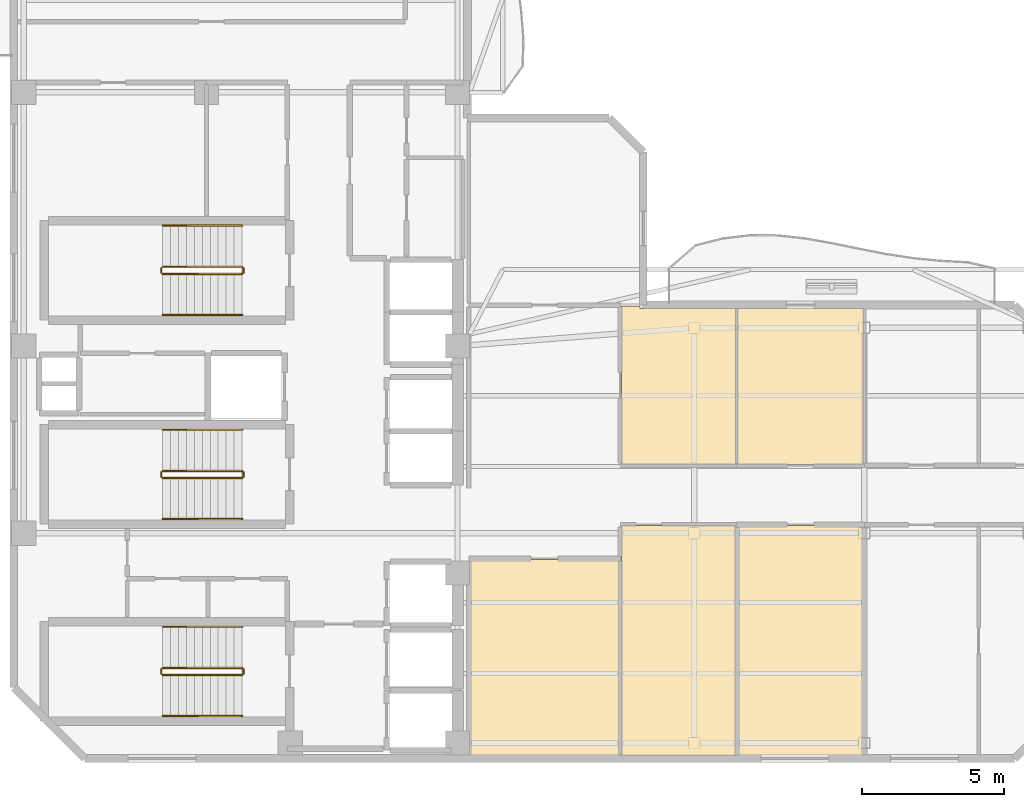
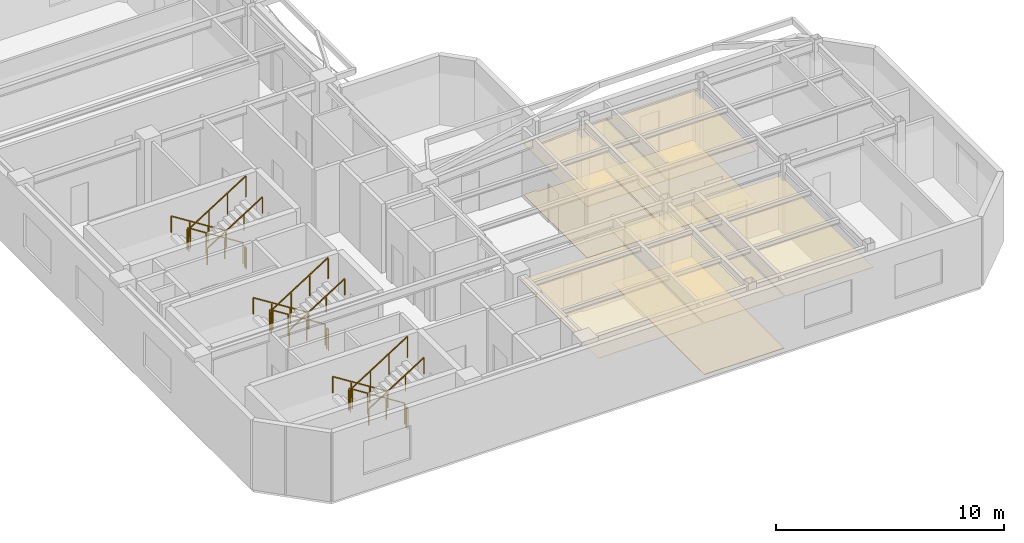
# One storey, part 6 of 7: 18 railings, 8 coverings.
"""IFC4 building model written with IfcOpenShell, lengths in metres."""

from ifc_helpers import new_model, si_unit, direction, frame, origin, origin_2d, place, context, subcontext, project, spatial, polyline, rectangle, outline, extrude, material, layer, layer_set, type_object, element, save


model = new_model("IFC4")

# Units and contexts
model_context = context("Model", 3, precision=1e-05, world=origin(), true_north=direction((0.0, 1.0)))
body_context = subcontext(model_context, "Body", "Model", "MODEL_VIEW")
ifc_project = project(units=[si_unit("LENGTHUNIT", "METRE"), si_unit("AREAUNIT", "SQUARE_METRE"), si_unit("VOLUMEUNIT", "CUBIC_METRE"), si_unit("PLANEANGLEUNIT", "RADIAN"), si_unit("MASSUNIT", "GRAM", prefix="KILO")], contexts=[model_context])

# Site, building, storey
site_placement = place(None, origin())
site = spatial("IfcSite", under=ifc_project, at=site_placement, CompositionType="ELEMENT")
building_placement = place(site_placement, origin())
building = spatial("IfcBuilding", under=site, at=building_placement, Name="Mawjaban Terraces University", CompositionType="ELEMENT")
storey_placement = place(building_placement, frame((0.0, 0.0, 275.5)))
storey = spatial("IfcBuildingStorey", under=building, at=storey_placement, Name="L67", CompositionType="ELEMENT", Elevation=275.5)

# Coverings
ifc_material_1 = material(Name="Acoustic mineral fibre ceiling tile", Category="masonry")
ifc_layer_1 = layer(ifc_material_1, 0.02001953125)
ifc_layer_set_1 = layer_set([ifc_layer_1], Name="Acoustic mineral fibre ceiling tile")
covering_type_1 = type_object("IfcCoveringType", Name="AcousticMineralCeiling_20", PredefinedType="CEILING", material=ifc_layer_set_1)
covering_1_placement = place(storey_placement, frame((0.0, 0.0, 2.75)))
element("IfcCovering", 1, at=covering_1_placement, inside=storey, type_object=covering_type_1, Name="L67 Media Workshop 1 Acoustic Ceiling", PredefinedType="CEILING", context=body_context, shape_type="SweptSolid", body=[
    extrude(outline(polyline([(38.080078125, 7.02001953125), (38.080078125, 0.114990234375), (43.3701171875, 0.114990234375), (43.3701171875, 7.02001953125), (38.080078125, 7.02001953125)])), origin(), (0.0, 0.0, 1.0), 0.02001953125),
])
covering_2_placement = place(storey_placement, frame((0.0, 0.0, 2.75)))
element("IfcCovering", 2, at=covering_2_placement, inside=storey, type_object=covering_type_1, Name="L67 Quiet Reading Room 2 Acoustic Ceiling", PredefinedType="CEILING", context=body_context, shape_type="SweptSolid", body=[
    extrude(outline(polyline([(43.429931640625, 0.114990234375), (47.469970703125, 0.114990234375), (47.469970703125, 8.219970703125), (43.429931640625, 8.219970703125), (43.429931640625, 0.114990234375)])), origin(), (0.0, 0.0, 1.0), 0.02001953125),
])
covering_3_placement = place(storey_placement, frame((0.0, 0.0, 2.75)))
element("IfcCovering", 3, at=covering_3_placement, inside=storey, type_object=covering_type_1, Name="L67 Reading Salon 3 Acoustic Ceiling", PredefinedType="CEILING", context=body_context, shape_type="SweptSolid", body=[
    extrude(outline(polyline([(47.469970703125, 15.885009765625), (44.0849609375, 15.885009765625), (44.0849609375, 15.969970703125), (43.429931640625, 15.969970703125), (43.429931640625, 10.3798828125), (47.469970703125, 10.3798828125), (47.469970703125, 15.885009765625)])), origin(), (0.0, 0.0, 1.0), 0.02001953125),
])
covering_4_placement = place(storey_placement, frame((0.0, 0.0, 2.75)))
element("IfcCovering", 4, at=covering_4_placement, inside=storey, type_object=covering_type_1, Name="L67 Media Workshop 4 Acoustic Ceiling", PredefinedType="CEILING", context=body_context, shape_type="SweptSolid", body=[
    extrude(outline(polyline([(47.530029296875, 0.114990234375), (51.969970703125, 0.114990234375), (51.969970703125, 8.219970703125), (47.530029296875, 8.219970703125), (47.530029296875, 0.114990234375)])), origin(), (0.0, 0.0, 1.0), 0.02001953125),
])
covering_5_placement = place(storey_placement, frame((0.0, 0.0, 2.75)))
element("IfcCovering", 5, at=covering_5_placement, inside=storey, type_object=covering_type_1, Name="L67 Quiet Reading Room 5 Acoustic Ceiling", PredefinedType="CEILING", context=body_context, shape_type="SweptSolid", body=[
    extrude(outline(polyline([(51.969970703125, 15.885009765625), (47.530029296875, 15.885009765625), (47.530029296875, 10.3798828125), (51.969970703125, 10.3798828125), (51.969970703125, 15.885009765625)])), origin(), (0.0, 0.0, 1.0), 0.02001953125),
])

# Railings
ifc_material_2 = material(Name="Brushed stainless steel 316", Category="steel")
railing_type_1 = type_object("IfcRailingType", Name="StairWallHandrail_900", PredefinedType="HANDRAIL", material=ifc_material_2)
railing_1_placement = place(storey_placement, frame((30.050048828125, 4.64990234375, 0.17724609375)))
element("IfcRailing", 6, at=railing_1_placement, inside=storey, type_object=railing_type_1, Name="L67 ST-1 stair handrail 1", PredefinedType="HANDRAIL", context=body_context, shape_type="SweptSolid", body=[
    extrude(rectangle(XDim=0.048095703125, YDim=0.048095703125, at=origin_2d()), frame((0.0, 0.0, 0.8759765625), z_axis=(-0.844908973607, 0.0, 0.534910110503), x_axis=(0.0, -1.0, 0.0)), (0.0, 0.0, 1.0), 3.31396484375),
    extrude(rectangle(XDim=0.0419921875, YDim=0.0419921875, at=origin_2d()), origin(), (0.0, 0.0, 1.0), 0.851806640625),
    extrude(rectangle(XDim=0.0419921875, YDim=0.0419921875, at=origin_2d()), frame((-0.933349609375, 0.0, 0.5908203125)), (0.0, 0.0, 1.0), 0.851806640625),
    extrude(rectangle(XDim=0.0419921875, YDim=0.0419921875, at=origin_2d()), frame((-1.86669921875, 0.0, 1.181884765625)), (0.0, 0.0, 1.0), 0.851806640625),
    extrude(rectangle(XDim=0.0419921875, YDim=0.0419921875, at=origin_2d()), frame((-2.800048828125, 0.0, 1.772705078125)), (0.0, 0.0, 1.0), 0.851806640625),
])
railing_2_placement = place(storey_placement, frame((27.25, 1.5, 2.127197265625)))
element("IfcRailing", 7, at=railing_2_placement, inside=storey, type_object=railing_type_1, Name="L67 ST-1 stair handrail 2", PredefinedType="HANDRAIL", context=body_context, shape_type="SweptSolid", body=[
    extrude(rectangle(XDim=0.048095703125, YDim=0.048095703125, at=origin_2d()), frame((0.0, 0.0, 0.8759765625), z_axis=(0.844908973607, 0.0, 0.534910110503), x_axis=(0.0, 1.0, 0.0)), (0.0, 0.0, 1.0), 3.31396484375),
    extrude(rectangle(XDim=0.0419921875, YDim=0.0419921875, at=origin_2d()), origin(), (0.0, 0.0, 1.0), 0.851806640625),
    extrude(rectangle(XDim=0.0419921875, YDim=0.0419921875, at=origin_2d()), frame((0.933349609375, 0.0, 0.5908203125)), (0.0, 0.0, 1.0), 0.851806640625),
    extrude(rectangle(XDim=0.0419921875, YDim=0.0419921875, at=origin_2d()), frame((1.86669921875, 0.0, 1.181884765625)), (0.0, 0.0, 1.0), 0.851806640625),
    extrude(rectangle(XDim=0.0419921875, YDim=0.0419921875, at=origin_2d()), frame((2.800048828125, 0.0, 1.772705078125)), (0.0, 0.0, 1.0), 0.851806640625),
])
railing_3_placement = place(storey_placement, frame((30.050048828125, 18.800048828125, 0.17724609375)))
element("IfcRailing", 8, at=railing_3_placement, inside=storey, type_object=railing_type_1, Name="L67 ST-2 stair handrail 1", PredefinedType="HANDRAIL", context=body_context, shape_type="SweptSolid", body=[
    extrude(rectangle(XDim=0.048095703125, YDim=0.048095703125, at=origin_2d()), frame((0.0, 0.0, 0.8759765625), z_axis=(-0.844908973607, 0.0, 0.534910110503), x_axis=(0.0, -1.0, 0.0)), (0.0, 0.0, 1.0), 3.31396484375),
    extrude(rectangle(XDim=0.0419921875, YDim=0.0419921875, at=origin_2d()), origin(), (0.0, 0.0, 1.0), 0.851806640625),
    extrude(rectangle(XDim=0.0419921875, YDim=0.0419921875, at=origin_2d()), frame((-0.933349609375, 0.0, 0.5908203125)), (0.0, 0.0, 1.0), 0.851806640625),
    extrude(rectangle(XDim=0.0419921875, YDim=0.0419921875, at=origin_2d()), frame((-1.86669921875, 0.0, 1.181884765625)), (0.0, 0.0, 1.0), 0.851806640625),
    extrude(rectangle(XDim=0.0419921875, YDim=0.0419921875, at=origin_2d()), frame((-2.800048828125, 0.0, 1.772705078125)), (0.0, 0.0, 1.0), 0.851806640625),
])
railing_4_placement = place(storey_placement, frame((27.25, 15.64990234375, 2.127197265625)))
element("IfcRailing", 9, at=railing_4_placement, inside=storey, type_object=railing_type_1, Name="L67 ST-2 stair handrail 2", PredefinedType="HANDRAIL", context=body_context, shape_type="SweptSolid", body=[
    extrude(rectangle(XDim=0.048095703125, YDim=0.048095703125, at=origin_2d()), frame((0.0, 0.0, 0.8759765625), z_axis=(0.844908973607, 0.0, 0.534910110503), x_axis=(0.0, 1.0, 0.0)), (0.0, 0.0, 1.0), 3.31396484375),
    extrude(rectangle(XDim=0.0419921875, YDim=0.0419921875, at=origin_2d()), origin(), (0.0, 0.0, 1.0), 0.851806640625),
    extrude(rectangle(XDim=0.0419921875, YDim=0.0419921875, at=origin_2d()), frame((0.933349609375, 0.0, 0.5908203125)), (0.0, 0.0, 1.0), 0.851806640625),
    extrude(rectangle(XDim=0.0419921875, YDim=0.0419921875, at=origin_2d()), frame((1.86669921875, 0.0, 1.181884765625)), (0.0, 0.0, 1.0), 0.851806640625),
    extrude(rectangle(XDim=0.0419921875, YDim=0.0419921875, at=origin_2d()), frame((2.800048828125, 0.0, 1.772705078125)), (0.0, 0.0, 1.0), 0.851806640625),
])
railing_5_placement = place(storey_placement, frame((30.050048828125, 11.60009765625, 0.17724609375)))
element("IfcRailing", 10, at=railing_5_placement, inside=storey, type_object=railing_type_1, Name="L67 ST-3 stair handrail 1", PredefinedType="HANDRAIL", context=body_context, shape_type="SweptSolid", body=[
    extrude(rectangle(XDim=0.048095703125, YDim=0.048095703125, at=origin_2d()), frame((0.0, 0.0, 0.8759765625), z_axis=(-0.844908973607, 0.0, 0.534910110503), x_axis=(0.0, -1.0, 0.0)), (0.0, 0.0, 1.0), 3.31396484375),
    extrude(rectangle(XDim=0.0419921875, YDim=0.0419921875, at=origin_2d()), origin(), (0.0, 0.0, 1.0), 0.851806640625),
    extrude(rectangle(XDim=0.0419921875, YDim=0.0419921875, at=origin_2d()), frame((-0.933349609375, 0.0, 0.5908203125)), (0.0, 0.0, 1.0), 0.851806640625),
    extrude(rectangle(XDim=0.0419921875, YDim=0.0419921875, at=origin_2d()), frame((-1.86669921875, 0.0, 1.181884765625)), (0.0, 0.0, 1.0), 0.851806640625),
    extrude(rectangle(XDim=0.0419921875, YDim=0.0419921875, at=origin_2d()), frame((-2.800048828125, 0.0, 1.772705078125)), (0.0, 0.0, 1.0), 0.851806640625),
])
railing_6_placement = place(storey_placement, frame((27.25, 8.449951171875, 2.127197265625)))
element("IfcRailing", 11, at=railing_6_placement, inside=storey, type_object=railing_type_1, Name="L67 ST-3 stair handrail 2", PredefinedType="HANDRAIL", context=body_context, shape_type="SweptSolid", body=[
    extrude(rectangle(XDim=0.048095703125, YDim=0.048095703125, at=origin_2d()), frame((0.0, 0.0, 0.8759765625), z_axis=(0.844908973607, 0.0, 0.534910110503), x_axis=(0.0, 1.0, 0.0)), (0.0, 0.0, 1.0), 3.31396484375),
    extrude(rectangle(XDim=0.0419921875, YDim=0.0419921875, at=origin_2d()), origin(), (0.0, 0.0, 1.0), 0.851806640625),
    extrude(rectangle(XDim=0.0419921875, YDim=0.0419921875, at=origin_2d()), frame((0.933349609375, 0.0, 0.5908203125)), (0.0, 0.0, 1.0), 0.851806640625),
    extrude(rectangle(XDim=0.0419921875, YDim=0.0419921875, at=origin_2d()), frame((1.86669921875, 0.0, 1.181884765625)), (0.0, 0.0, 1.0), 0.851806640625),
    extrude(rectangle(XDim=0.0419921875, YDim=0.0419921875, at=origin_2d()), frame((2.800048828125, 0.0, 1.772705078125)), (0.0, 0.0, 1.0), 0.851806640625),
])
ifc_material_3 = material(Name="Galvanised painted steel S355", Category="steel")
railing_type_2 = type_object("IfcRailingType", Name="StairWellGuard_1150", PredefinedType="BALUSTRADE", material=ifc_material_3)
railing_7_placement = place(storey_placement, frame((30.050048828125, 3.199951171875, 0.17724609375)))
element("IfcRailing", 12, at=railing_7_placement, inside=storey, type_object=railing_type_2, Name="L67 ST-1 stair guard 1", PredefinedType="BALUSTRADE", context=body_context, shape_type="SweptSolid", body=[
    extrude(rectangle(XDim=0.048095703125, YDim=0.048095703125, at=origin_2d()), frame((0.0, 0.0, 1.1259765625), z_axis=(-0.844908973607, 0.0, 0.534910110503), x_axis=(0.0, -1.0, 0.0)), (0.0, 0.0, 1.0), 3.31396484375),
    extrude(rectangle(XDim=0.0419921875, YDim=0.0419921875, at=origin_2d()), origin(), (0.0, 0.0, 1.0), 1.101806640625),
    extrude(rectangle(XDim=0.0419921875, YDim=0.0419921875, at=origin_2d()), frame((-0.933349609375, 0.0, 0.5908203125)), (0.0, 0.0, 1.0), 1.101806640625),
    extrude(rectangle(XDim=0.0419921875, YDim=0.0419921875, at=origin_2d()), frame((-1.86669921875, 0.0, 1.181884765625)), (0.0, 0.0, 1.0), 1.101806640625),
    extrude(rectangle(XDim=0.0419921875, YDim=0.0419921875, at=origin_2d()), frame((-2.800048828125, 0.0, 1.772705078125)), (0.0, 0.0, 1.0), 1.101806640625),
])
railing_8_placement = place(storey_placement, frame((27.199951171875, 3.14990234375, 1.949951171875)))
element("IfcRailing", 13, at=railing_8_placement, inside=storey, type_object=railing_type_2, Name="L67 ST-1 stair guard 2", PredefinedType="BALUSTRADE", context=body_context, shape_type="SweptSolid", body=[
    extrude(rectangle(XDim=0.048095703125, YDim=0.048095703125, at=origin_2d()), frame((0.0, 0.0, 1.1259765625), z_axis=(0.0, -1.0, 0.0), x_axis=(1.0, 0.0, 0.0)), (0.0, 0.0, 1.0), 0.14990234375),
    extrude(rectangle(XDim=0.0419921875, YDim=0.0419921875, at=origin_2d()), origin(), (0.0, 0.0, 1.0), 1.101806640625),
    extrude(rectangle(XDim=0.0419921875, YDim=0.0419921875, at=origin_2d()), frame((0.0, -0.14990234375, 0.0)), (0.0, 0.0, 1.0), 1.101806640625),
])
railing_9_placement = place(storey_placement, frame((27.25, 2.949951171875, 2.127197265625)))
element("IfcRailing", 14, at=railing_9_placement, inside=storey, type_object=railing_type_2, Name="L67 ST-1 stair guard 3", PredefinedType="BALUSTRADE", context=body_context, shape_type="SweptSolid", body=[
    extrude(rectangle(XDim=0.048095703125, YDim=0.048095703125, at=origin_2d()), frame((0.0, 0.0, 1.1259765625), z_axis=(0.844908973607, 0.0, 0.534910110503), x_axis=(0.0, 1.0, 0.0)), (0.0, 0.0, 1.0), 3.31396484375),
    extrude(rectangle(XDim=0.0419921875, YDim=0.0419921875, at=origin_2d()), origin(), (0.0, 0.0, 1.0), 1.101806640625),
    extrude(rectangle(XDim=0.0419921875, YDim=0.0419921875, at=origin_2d()), frame((0.933349609375, 0.0, 0.5908203125)), (0.0, 0.0, 1.0), 1.101806640625),
    extrude(rectangle(XDim=0.0419921875, YDim=0.0419921875, at=origin_2d()), frame((1.86669921875, 0.0, 1.181884765625)), (0.0, 0.0, 1.0), 1.101806640625),
    extrude(rectangle(XDim=0.0419921875, YDim=0.0419921875, at=origin_2d()), frame((2.800048828125, 0.0, 1.772705078125)), (0.0, 0.0, 1.0), 1.101806640625),
])
railing_10_placement = place(storey_placement, frame((30.10009765625, 3.14990234375, 0.0)))
element("IfcRailing", 15, at=railing_10_placement, inside=storey, type_object=railing_type_2, Name="L67 ST-1 stair guard 4", PredefinedType="BALUSTRADE", context=body_context, shape_type="SweptSolid", body=[
    extrude(rectangle(XDim=0.048095703125, YDim=0.048095703125, at=origin_2d()), frame((0.0, 0.0, 1.1259765625), z_axis=(0.0, -1.0, 0.0), x_axis=(1.0, 0.0, 0.0)), (0.0, 0.0, 1.0), 0.14990234375),
    extrude(rectangle(XDim=0.0419921875, YDim=0.0419921875, at=origin_2d()), origin(), (0.0, 0.0, 1.0), 1.101806640625),
    extrude(rectangle(XDim=0.0419921875, YDim=0.0419921875, at=origin_2d()), frame((0.0, -0.14990234375, 0.0)), (0.0, 0.0, 1.0), 1.101806640625),
])
railing_11_placement = place(storey_placement, frame((30.050048828125, 17.35009765625, 0.17724609375)))
element("IfcRailing", 16, at=railing_11_placement, inside=storey, type_object=railing_type_2, Name="L67 ST-2 stair guard 1", PredefinedType="BALUSTRADE", context=body_context, shape_type="SweptSolid", body=[
    extrude(rectangle(XDim=0.048095703125, YDim=0.048095703125, at=origin_2d()), frame((0.0, 0.0, 1.1259765625), z_axis=(-0.844908973607, 0.0, 0.534910110503), x_axis=(0.0, -1.0, 0.0)), (0.0, 0.0, 1.0), 3.31396484375),
    extrude(rectangle(XDim=0.0419921875, YDim=0.0419921875, at=origin_2d()), origin(), (0.0, 0.0, 1.0), 1.101806640625),
    extrude(rectangle(XDim=0.0419921875, YDim=0.0419921875, at=origin_2d()), frame((-0.933349609375, 0.0, 0.5908203125)), (0.0, 0.0, 1.0), 1.101806640625),
    extrude(rectangle(XDim=0.0419921875, YDim=0.0419921875, at=origin_2d()), frame((-1.86669921875, 0.0, 1.181884765625)), (0.0, 0.0, 1.0), 1.101806640625),
    extrude(rectangle(XDim=0.0419921875, YDim=0.0419921875, at=origin_2d()), frame((-2.800048828125, 0.0, 1.772705078125)), (0.0, 0.0, 1.0), 1.101806640625),
])
railing_12_placement = place(storey_placement, frame((27.199951171875, 17.300048828125, 1.949951171875)))
element("IfcRailing", 17, at=railing_12_placement, inside=storey, type_object=railing_type_2, Name="L67 ST-2 stair guard 2", PredefinedType="BALUSTRADE", context=body_context, shape_type="SweptSolid", body=[
    extrude(rectangle(XDim=0.048095703125, YDim=0.048095703125, at=origin_2d()), frame((0.0, 0.0, 1.1259765625), z_axis=(0.0, -1.0, 0.0), x_axis=(1.0, 0.0, 0.0)), (0.0, 0.0, 1.0), 0.150146484375),
    extrude(rectangle(XDim=0.0419921875, YDim=0.0419921875, at=origin_2d()), origin(), (0.0, 0.0, 1.0), 1.101806640625),
    extrude(rectangle(XDim=0.0419921875, YDim=0.0419921875, at=origin_2d()), frame((0.0, -0.150146484375, 0.0)), (0.0, 0.0, 1.0), 1.101806640625),
])
railing_13_placement = place(storey_placement, frame((27.25, 17.10009765625, 2.127197265625)))
element("IfcRailing", 18, at=railing_13_placement, inside=storey, type_object=railing_type_2, Name="L67 ST-2 stair guard 3", PredefinedType="BALUSTRADE", context=body_context, shape_type="SweptSolid", body=[
    extrude(rectangle(XDim=0.048095703125, YDim=0.048095703125, at=origin_2d()), frame((0.0, 0.0, 1.1259765625), z_axis=(0.844908973607, 0.0, 0.534910110503), x_axis=(0.0, 1.0, 0.0)), (0.0, 0.0, 1.0), 3.31396484375),
    extrude(rectangle(XDim=0.0419921875, YDim=0.0419921875, at=origin_2d()), origin(), (0.0, 0.0, 1.0), 1.101806640625),
    extrude(rectangle(XDim=0.0419921875, YDim=0.0419921875, at=origin_2d()), frame((0.933349609375, 0.0, 0.5908203125)), (0.0, 0.0, 1.0), 1.101806640625),
    extrude(rectangle(XDim=0.0419921875, YDim=0.0419921875, at=origin_2d()), frame((1.86669921875, 0.0, 1.181884765625)), (0.0, 0.0, 1.0), 1.101806640625),
    extrude(rectangle(XDim=0.0419921875, YDim=0.0419921875, at=origin_2d()), frame((2.800048828125, 0.0, 1.772705078125)), (0.0, 0.0, 1.0), 1.101806640625),
])
railing_14_placement = place(storey_placement, frame((30.10009765625, 17.300048828125, 0.0)))
element("IfcRailing", 19, at=railing_14_placement, inside=storey, type_object=railing_type_2, Name="L67 ST-2 stair guard 4", PredefinedType="BALUSTRADE", context=body_context, shape_type="SweptSolid", body=[
    extrude(rectangle(XDim=0.048095703125, YDim=0.048095703125, at=origin_2d()), frame((0.0, 0.0, 1.1259765625), z_axis=(0.0, -1.0, 0.0), x_axis=(1.0, 0.0, 0.0)), (0.0, 0.0, 1.0), 0.150146484375),
    extrude(rectangle(XDim=0.0419921875, YDim=0.0419921875, at=origin_2d()), origin(), (0.0, 0.0, 1.0), 1.101806640625),
    extrude(rectangle(XDim=0.0419921875, YDim=0.0419921875, at=origin_2d()), frame((0.0, -0.150146484375, 0.0)), (0.0, 0.0, 1.0), 1.101806640625),
])
railing_15_placement = place(storey_placement, frame((30.050048828125, 10.14990234375, 0.17724609375)))
element("IfcRailing", 20, at=railing_15_placement, inside=storey, type_object=railing_type_2, Name="L67 ST-3 stair guard 1", PredefinedType="BALUSTRADE", context=body_context, shape_type="SweptSolid", body=[
    extrude(rectangle(XDim=0.048095703125, YDim=0.048095703125, at=origin_2d()), frame((0.0, 0.0, 1.1259765625), z_axis=(-0.844908973607, 0.0, 0.534910110503), x_axis=(0.0, -1.0, 0.0)), (0.0, 0.0, 1.0), 3.31396484375),
    extrude(rectangle(XDim=0.0419921875, YDim=0.0419921875, at=origin_2d()), origin(), (0.0, 0.0, 1.0), 1.101806640625),
    extrude(rectangle(XDim=0.0419921875, YDim=0.0419921875, at=origin_2d()), frame((-0.933349609375, 0.0, 0.5908203125)), (0.0, 0.0, 1.0), 1.101806640625),
    extrude(rectangle(XDim=0.0419921875, YDim=0.0419921875, at=origin_2d()), frame((-1.86669921875, 0.0, 1.181884765625)), (0.0, 0.0, 1.0), 1.101806640625),
    extrude(rectangle(XDim=0.0419921875, YDim=0.0419921875, at=origin_2d()), frame((-2.800048828125, 0.0, 1.772705078125)), (0.0, 0.0, 1.0), 1.101806640625),
])
railing_16_placement = place(storey_placement, frame((27.199951171875, 10.10009765625, 1.949951171875)))
element("IfcRailing", 21, at=railing_16_placement, inside=storey, type_object=railing_type_2, Name="L67 ST-3 stair guard 2", PredefinedType="BALUSTRADE", context=body_context, shape_type="SweptSolid", body=[
    extrude(rectangle(XDim=0.048095703125, YDim=0.048095703125, at=origin_2d()), frame((0.0, 0.0, 1.1259765625), z_axis=(0.0, -1.0, 0.0), x_axis=(1.0, 0.0, 0.0)), (0.0, 0.0, 1.0), 0.150146484375),
    extrude(rectangle(XDim=0.0419921875, YDim=0.0419921875, at=origin_2d()), origin(), (0.0, 0.0, 1.0), 1.101806640625),
    extrude(rectangle(XDim=0.0419921875, YDim=0.0419921875, at=origin_2d()), frame((0.0, -0.150146484375, 0.0)), (0.0, 0.0, 1.0), 1.101806640625),
])
railing_17_placement = place(storey_placement, frame((27.25, 9.89990234375, 2.127197265625)))
element("IfcRailing", 22, at=railing_17_placement, inside=storey, type_object=railing_type_2, Name="L67 ST-3 stair guard 3", PredefinedType="BALUSTRADE", context=body_context, shape_type="SweptSolid", body=[
    extrude(rectangle(XDim=0.048095703125, YDim=0.048095703125, at=origin_2d()), frame((0.0, 0.0, 1.1259765625), z_axis=(0.844908973607, 0.0, 0.534910110503), x_axis=(0.0, 1.0, 0.0)), (0.0, 0.0, 1.0), 3.31396484375),
    extrude(rectangle(XDim=0.0419921875, YDim=0.0419921875, at=origin_2d()), origin(), (0.0, 0.0, 1.0), 1.101806640625),
    extrude(rectangle(XDim=0.0419921875, YDim=0.0419921875, at=origin_2d()), frame((0.933349609375, 0.0, 0.5908203125)), (0.0, 0.0, 1.0), 1.101806640625),
    extrude(rectangle(XDim=0.0419921875, YDim=0.0419921875, at=origin_2d()), frame((1.86669921875, 0.0, 1.181884765625)), (0.0, 0.0, 1.0), 1.101806640625),
    extrude(rectangle(XDim=0.0419921875, YDim=0.0419921875, at=origin_2d()), frame((2.800048828125, 0.0, 1.772705078125)), (0.0, 0.0, 1.0), 1.101806640625),
])
railing_18_placement = place(storey_placement, frame((30.10009765625, 10.10009765625, 0.0)))
element("IfcRailing", 23, at=railing_18_placement, inside=storey, type_object=railing_type_2, Name="L67 ST-3 stair guard 4", PredefinedType="BALUSTRADE", context=body_context, shape_type="SweptSolid", body=[
    extrude(rectangle(XDim=0.048095703125, YDim=0.048095703125, at=origin_2d()), frame((0.0, 0.0, 1.1259765625), z_axis=(0.0, -1.0, 0.0), x_axis=(1.0, 0.0, 0.0)), (0.0, 0.0, 1.0), 0.150146484375),
    extrude(rectangle(XDim=0.0419921875, YDim=0.0419921875, at=origin_2d()), origin(), (0.0, 0.0, 1.0), 1.101806640625),
    extrude(rectangle(XDim=0.0419921875, YDim=0.0419921875, at=origin_2d()), frame((0.0, -0.150146484375, 0.0)), (0.0, 0.0, 1.0), 1.101806640625),
])

# Coverings
ifc_material_4 = material(Name="Polished Hijazi granite terrazzo flooring", Category="masonry")
ifc_layer_2 = layer(ifc_material_4, 0.02490234375)
ifc_layer_set_2 = layer_set([ifc_layer_2], Name="Polished Hijazi granite terrazzo flooring")
covering_type_2 = type_object("IfcCoveringType", Name="TerrazzoConcourseFlooring_25", PredefinedType="FLOORING", material=ifc_layer_set_2)
covering_6_placement = place(storey_placement, origin())
element("IfcCovering", 24, at=covering_6_placement, inside=storey, type_object=covering_type_2, Name="L67 Quiet Reading Room 2 Terrazzo Flooring", PredefinedType="FLOORING", context=body_context, shape_type="SweptSolid", body=[
    extrude(outline(polyline([(43.429931640625, 0.114990234375), (47.469970703125, 0.114990234375), (47.469970703125, 8.219970703125), (43.429931640625, 8.219970703125), (43.429931640625, 0.114990234375)])), origin(), (0.0, 0.0, 1.0), 0.02490234375),
])
covering_7_placement = place(storey_placement, origin())
element("IfcCovering", 25, at=covering_7_placement, inside=storey, type_object=covering_type_2, Name="L67 Reading Salon 3 Terrazzo Flooring", PredefinedType="FLOORING", context=body_context, shape_type="SweptSolid", body=[
    extrude(outline(polyline([(47.469970703125, 15.885009765625), (44.0849609375, 15.885009765625), (44.0849609375, 15.969970703125), (43.429931640625, 15.969970703125), (43.429931640625, 10.3798828125), (47.469970703125, 10.3798828125), (47.469970703125, 15.885009765625)])), origin(), (0.0, 0.0, 1.0), 0.02490234375),
])
covering_8_placement = place(storey_placement, origin())
element("IfcCovering", 26, at=covering_8_placement, inside=storey, type_object=covering_type_2, Name="L67 Quiet Reading Room 5 Terrazzo Flooring", PredefinedType="FLOORING", context=body_context, shape_type="SweptSolid", body=[
    extrude(outline(polyline([(51.969970703125, 15.885009765625), (47.530029296875, 15.885009765625), (47.530029296875, 10.3798828125), (51.969970703125, 10.3798828125), (51.969970703125, 15.885009765625)])), origin(), (0.0, 0.0, 1.0), 0.02490234375),
])

save(model, "model.ifc")
